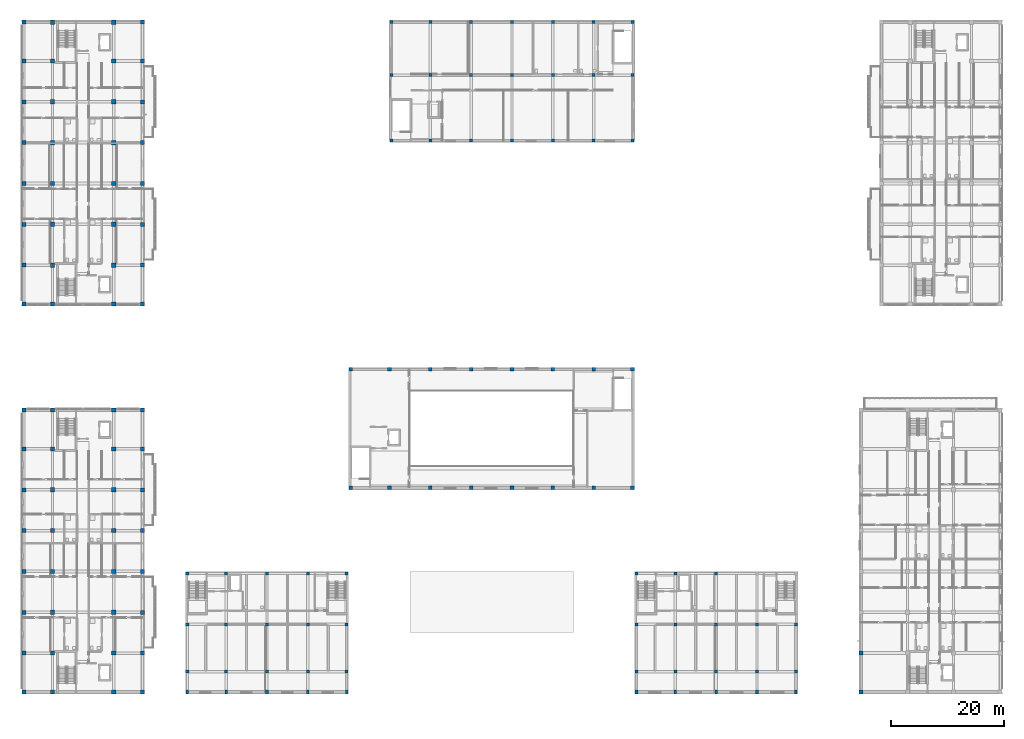
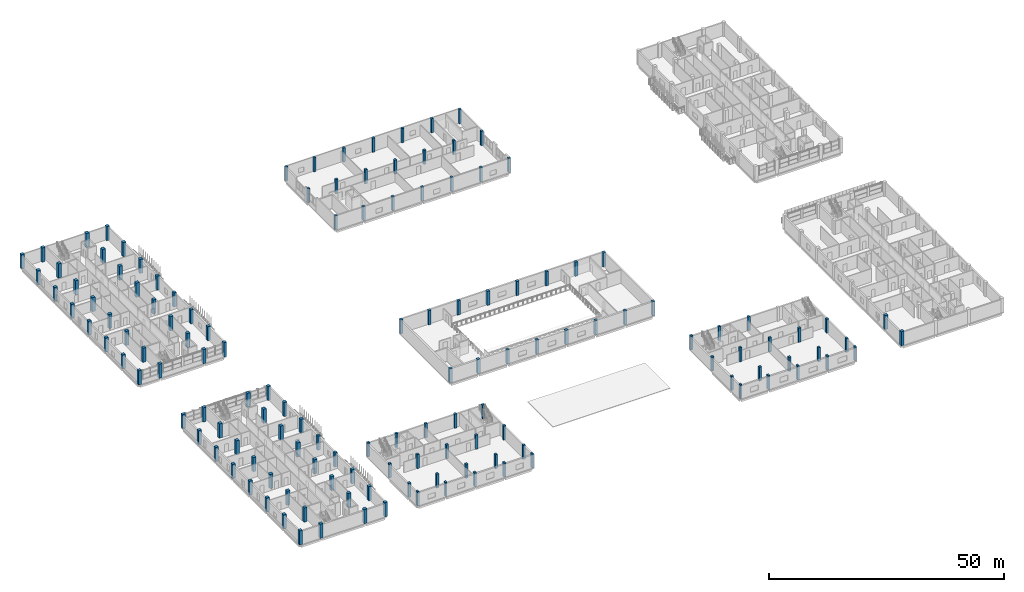
# One storey, part 1 of 73: 141 columns.
"""IFC4 building model written with IfcOpenShell, lengths in metres."""

from ifc_helpers import new_model, si_unit, derived_unit, direction, frame, origin, origin_2d, place, context, subcontext, project, spatial, rectangle, extrude, material, material_profile, profile_set, type_object, element, save


model = new_model("IFC4")

# Units and contexts
model_context = context("Model", 3, precision=1e-05, world=origin(), true_north=direction((0.0, 1.0)))
body_context = subcontext(model_context, "Body", "Model", "MODEL_VIEW")
ifc_project = project(units=[si_unit("LENGTHUNIT", "METRE"), si_unit("AREAUNIT", "SQUARE_METRE"), si_unit("VOLUMEUNIT", "CUBIC_METRE"), si_unit("PLANEANGLEUNIT", "RADIAN"), si_unit("MASSUNIT", "GRAM", prefix="KILO"), derived_unit("THERMALTRANSMITTANCEUNIT", [(si_unit("MASSUNIT", "GRAM", prefix="KILO"), 1), (si_unit("TIMEUNIT", "SECOND"), -3), (si_unit("THERMODYNAMICTEMPERATUREUNIT", "KELVIN"), -1)])], contexts=[model_context])

# Site, building, storey
site_placement = place(None, origin())
site = spatial("IfcSite", under=ifc_project, at=site_placement, CompositionType="ELEMENT")
building_placement = place(site_placement, origin())
building = spatial("IfcBuilding", under=site, at=building_placement, Name="Ochrekiln Boulevard Commons", CompositionType="ELEMENT")
storey_placement = place(building_placement, frame((0.0, 0.0, 4.89990234375)))
storey = spatial("IfcBuildingStorey", under=building, at=storey_placement, Name="L01", CompositionType="ELEMENT", Elevation=4.89990234375)

# Columns
ifc_material_1 = material(Name="Concrete C35/45", Category="concrete")
ifc_material_profile_1 = material_profile(ifc_material_1, rectangle(XDim=0.550048828125, YDim=0.550048828125, at=origin_2d()), Name="RC-COL-550x550")
ifc_profile_set_1 = profile_set([ifc_material_profile_1], Name="Concrete C35/45")
column_type_1 = type_object("IfcColumnType", Name="COL-RC-550", PredefinedType="COLUMN", material=ifc_profile_set_1)
for number, where, z_axis, x_axis, name in (
    (1, (65.14990234375, 97.550048828125, 0.0), (0.0, 0.0, 1.0), (1.0, 0.0, 0.0), "Nursery Pavilion L01 Column C-550 (1)"),
    (2, (65.14990234375, 109.10009765625, 0.0), (0.0, 0.0, 1.0), (1.0, 0.0, 0.0), "Nursery Pavilion L01 Column C-550 (2)"),
    (3, (65.14990234375, 118.449951171875, 0.0), (0.0, 0.0, 1.0), (1.0, 0.0, 0.0), "Nursery Pavilion L01 Column C-550 (3)"),
    (4, (72.0, 97.550048828125, 0.0), (0.0, 0.0, 1.0), (1.0, 0.0, 0.0), "Nursery Pavilion L01 Column C-550 (4)"),
    (5, (72.0, 109.10009765625, 0.0), (0.0, 0.0, 1.0), (1.0, 0.0, 0.0), "Nursery Pavilion L01 Column C-550 (5)"),
    (6, (72.0, 118.449951171875, 0.0), (0.0, 0.0, 1.0), (1.0, 0.0, 0.0), "Nursery Pavilion L01 Column C-550 (6)"),
    (7, (79.199951171875, 97.550048828125, 0.0), (0.0, 0.0, 1.0), (1.0, 0.0, 0.0), "Nursery Pavilion L01 Column C-550 (7)"),
    (8, (79.199951171875, 109.10009765625, 0.0), (0.0, 0.0, 1.0), (1.0, 0.0, 0.0), "Nursery Pavilion L01 Column C-550 (8)"),
    (9, (79.199951171875, 118.449951171875, 0.0), (0.0, 0.0, 1.0), (1.0, 0.0, 0.0), "Nursery Pavilion L01 Column C-550 (9)"),
    (10, (86.39990234375, 97.550048828125, 0.0), (0.0, 0.0, 1.0), (1.0, 0.0, 0.0), "Nursery Pavilion L01 Column C-550 (10)"),
    (11, (86.39990234375, 109.10009765625, 0.0), (0.0, 0.0, 1.0), (1.0, 0.0, 0.0), "Nursery Pavilion L01 Column C-550 (11)"),
    (12, (86.39990234375, 118.449951171875, 0.0), (0.0, 0.0, 1.0), (1.0, 0.0, 0.0), "Nursery Pavilion L01 Column C-550 (12)"),
    (13, (93.60009765625, 97.550048828125, 0.0), (0.0, 0.0, 1.0), (1.0, 0.0, 0.0), "Nursery Pavilion L01 Column C-550 (13)"),
    (14, (93.60009765625, 109.10009765625, 0.0), (0.0, 0.0, 1.0), (1.0, 0.0, 0.0), "Nursery Pavilion L01 Column C-550 (14)"),
    (15, (93.60009765625, 118.449951171875, 0.0), (0.0, 0.0, 1.0), (1.0, 0.0, 0.0), "Nursery Pavilion L01 Column C-550 (15)"),
    (16, (100.800048828125, 97.550048828125, 0.0), (0.0, 0.0, 1.0), (1.0, 0.0, 0.0), "Nursery Pavilion L01 Column C-550 (16)"),
    (17, (100.800048828125, 109.10009765625, 0.0), (0.0, 0.0, 1.0), (1.0, 0.0, 0.0), "Nursery Pavilion L01 Column C-550 (17)"),
    (18, (100.800048828125, 118.449951171875, 0.0), (0.0, 0.0, 1.0), (1.0, 0.0, 0.0), "Nursery Pavilion L01 Column C-550 (18)"),
    (19, (107.64990234375, 97.550048828125, 0.0), (0.0, 0.0, 1.0), (1.0, 0.0, 0.0), "Nursery Pavilion L01 Column C-550 (19)"),
    (20, (107.64990234375, 109.10009765625, 0.0), (0.0, 0.0, 1.0), (1.0, 0.0, 0.0), "Nursery Pavilion L01 Column C-550 (20)"),
    (21, (107.64990234375, 118.449951171875, 0.0), (0.0, 0.0, 1.0), (1.0, 0.0, 0.0), "Nursery Pavilion L01 Column C-550 (21)"),
    (22, (29.14990234375, 3.949951171875, 0.0), (0.0, 0.0, 1.0), (1.0, 0.0, 0.0), "West Boulevard Shops and Arcade L01 Column C-550 (2)"),
    (23, (29.14990234375, 12.25, 0.0), (0.0, 0.0, 1.0), (1.0, 0.0, 0.0), "West Boulevard Shops and Arcade L01 Column C-550 (3)"),
    (24, (29.14990234375, 21.25, 0.0), (0.0, 0.0, 1.0), (1.0, 0.0, 0.0), "West Boulevard Shops and Arcade L01 Column C-550 (4)"),
    (25, (36.0, 3.949951171875, 0.0), (0.0, 0.0, 1.0), (1.0, 0.0, 0.0), "West Boulevard Shops and Arcade L01 Column C-550 (6)"),
    (26, (36.0, 12.25, 0.0), (0.0, 0.0, 1.0), (1.0, 0.0, 0.0), "West Boulevard Shops and Arcade L01 Column C-550 (7)"),
    (27, (36.0, 21.25, 0.0), (0.0, 0.0, 1.0), (1.0, 0.0, 0.0), "West Boulevard Shops and Arcade L01 Column C-550 (8)"),
    (28, (43.199951171875, 3.949951171875, 0.0), (0.0, 0.0, 1.0), (1.0, 0.0, 0.0), "West Boulevard Shops and Arcade L01 Column C-550 (10)"),
    (29, (43.199951171875, 12.25, 0.0), (0.0, 0.0, 1.0), (1.0, 0.0, 0.0), "West Boulevard Shops and Arcade L01 Column C-550 (11)"),
    (30, (43.199951171875, 21.25, 0.0), (0.0, 0.0, 1.0), (1.0, 0.0, 0.0), "West Boulevard Shops and Arcade L01 Column C-550 (12)"),
    (31, (50.39990234375, 3.949951171875, 0.0), (0.0, 0.0, 1.0), (1.0, 0.0, 0.0), "West Boulevard Shops and Arcade L01 Column C-550 (14)"),
    (32, (50.39990234375, 12.25, 0.0), (0.0, 0.0, 1.0), (1.0, 0.0, 0.0), "West Boulevard Shops and Arcade L01 Column C-550 (15)"),
    (33, (50.39990234375, 21.25, 0.0), (0.0, 0.0, 1.0), (1.0, 0.0, 0.0), "West Boulevard Shops and Arcade L01 Column C-550 (16)"),
    (34, (57.25, 3.949951171875, 0.0), (0.0, 0.0, 1.0), (1.0, 0.0, 0.0), "West Boulevard Shops and Arcade L01 Column C-550 (18)"),
    (35, (57.25, 12.25, 0.0), (0.0, 0.0, 1.0), (1.0, 0.0, 0.0), "West Boulevard Shops and Arcade L01 Column C-550 (19)"),
    (36, (57.25, 21.25, 0.0), (0.0, 0.0, 1.0), (1.0, 0.0, 0.0), "West Boulevard Shops and Arcade L01 Column C-550 (20)"),
    (37, (108.35009765625, 3.949951171875, 0.0), (0.0, 0.0, 1.0), (1.0, 0.0, 0.0), "East Boulevard Shops and Arcade L01 Column C-550 (2)"),
    (38, (108.35009765625, 12.25, 0.0), (0.0, 0.0, 1.0), (1.0, 0.0, 0.0), "East Boulevard Shops and Arcade L01 Column C-550 (3)"),
    (39, (108.35009765625, 21.25, 0.0), (0.0, 0.0, 1.0), (1.0, 0.0, 0.0), "East Boulevard Shops and Arcade L01 Column C-550 (4)"),
    (40, (115.199951171875, 3.949951171875, 0.0), (0.0, 0.0, 1.0), (1.0, 0.0, 0.0), "East Boulevard Shops and Arcade L01 Column C-550 (6)"),
    (41, (115.199951171875, 12.25, 0.0), (0.0, 0.0, 1.0), (1.0, 0.0, 0.0), "East Boulevard Shops and Arcade L01 Column C-550 (7)"),
    (42, (115.199951171875, 21.25, 0.0), (0.0, 0.0, 1.0), (1.0, 0.0, 0.0), "East Boulevard Shops and Arcade L01 Column C-550 (8)"),
    (43, (122.39990234375, 3.949951171875, 0.0), (0.0, 0.0, 1.0), (1.0, 0.0, 0.0), "East Boulevard Shops and Arcade L01 Column C-550 (10)"),
    (44, (122.39990234375, 12.25, 0.0), (0.0, 0.0, 1.0), (1.0, 0.0, 0.0), "East Boulevard Shops and Arcade L01 Column C-550 (11)"),
    (45, (122.39990234375, 21.25, 0.0), (0.0, 0.0, 1.0), (1.0, 0.0, 0.0), "East Boulevard Shops and Arcade L01 Column C-550 (12)"),
    (46, (129.60009765625, 3.949951171875, 0.0), (0.0, 0.0, 1.0), (1.0, 0.0, 0.0), "East Boulevard Shops and Arcade L01 Column C-550 (14)"),
    (47, (129.60009765625, 12.25, 0.0), (0.0, 0.0, 1.0), (1.0, 0.0, 0.0), "East Boulevard Shops and Arcade L01 Column C-550 (15)"),
    (48, (136.449951171875, 3.949951171875, 0.0), (0.0, 0.0, 1.0), (1.0, 0.0, 0.0), "East Boulevard Shops and Arcade L01 Column C-550 (18)"),
    (49, (136.449951171875, 12.25, 0.0), (0.0, 0.0, 1.0), (1.0, 0.0, 0.0), "East Boulevard Shops and Arcade L01 Column C-550 (19)"),
):
    element("IfcColumn", number, at=place(storey_placement, frame(where, z_axis=z_axis, x_axis=x_axis)), inside=storey, type_object=column_type_1, Name=name, PredefinedType="COLUMN", context=body_context, shape_type="SweptSolid", body=[
        extrude(rectangle(XDim=0.550048828125, YDim=0.550048828125, at=origin_2d()), origin(), (0.0, 0.0, 1.0), 3.675048828125),
    ])
ifc_material_2 = material(Name="Concrete C40/50", Category="concrete")
ifc_material_profile_2 = material_profile(ifc_material_2, rectangle(XDim=0.64990234375, YDim=0.64990234375, at=origin_2d()), Name="RC-COL-650x650")
ifc_profile_set_2 = profile_set([ifc_material_profile_2], Name="Concrete C40/50")
column_type_2 = type_object("IfcColumnType", Name="COL-RC-650", PredefinedType="COLUMN", material=ifc_profile_set_2)
for number, where, z_axis, x_axis, name in (
    (50, (57.949951171875, 36.35009765625, 0.0), (0.0, 0.0, 1.0), (1.0, 0.0, 0.0), "Community Hall L01 Column C-650 (1)"),
    (51, (57.949951171875, 57.25, 0.0), (0.0, 0.0, 1.0), (1.0, 0.0, 0.0), "Community Hall L01 Column C-650 (2)"),
    (52, (64.800048828125, 36.35009765625, 0.0), (0.0, 0.0, 1.0), (1.0, 0.0, 0.0), "Community Hall L01 Column C-650 (3)"),
    (53, (64.800048828125, 57.25, 0.0), (0.0, 0.0, 1.0), (1.0, 0.0, 0.0), "Community Hall L01 Column C-650 (4)"),
    (54, (72.0, 36.35009765625, 0.0), (0.0, 0.0, 1.0), (1.0, 0.0, 0.0), "Community Hall L01 Column C-650 (5)"),
    (55, (72.0, 57.25, 0.0), (0.0, 0.0, 1.0), (1.0, 0.0, 0.0), "Community Hall L01 Column C-650 (6)"),
    (56, (79.199951171875, 36.35009765625, 0.0), (0.0, 0.0, 1.0), (1.0, 0.0, 0.0), "Community Hall L01 Column C-650 (7)"),
    (57, (79.199951171875, 57.25, 0.0), (0.0, 0.0, 1.0), (1.0, 0.0, 0.0), "Community Hall L01 Column C-650 (8)"),
    (58, (86.39990234375, 36.35009765625, 0.0), (0.0, 0.0, 1.0), (1.0, 0.0, 0.0), "Community Hall L01 Column C-650 (9)"),
    (59, (86.39990234375, 57.25, 0.0), (0.0, 0.0, 1.0), (1.0, 0.0, 0.0), "Community Hall L01 Column C-650 (10)"),
    (60, (93.60009765625, 36.35009765625, 0.0), (0.0, 0.0, 1.0), (1.0, 0.0, 0.0), "Community Hall L01 Column C-650 (11)"),
    (61, (93.60009765625, 57.25, 0.0), (0.0, 0.0, 1.0), (1.0, 0.0, 0.0), "Community Hall L01 Column C-650 (12)"),
    (62, (100.800048828125, 36.35009765625, 0.0), (0.0, 0.0, 1.0), (1.0, 0.0, 0.0), "Community Hall L01 Column C-650 (13)"),
    (63, (100.800048828125, 57.25, 0.0), (0.0, 0.0, 1.0), (1.0, 0.0, 0.0), "Community Hall L01 Column C-650 (14)"),
    (64, (107.64990234375, 36.35009765625, 0.0), (0.0, 0.0, 1.0), (1.0, 0.0, 0.0), "Community Hall L01 Column C-650 (15)"),
    (65, (107.64990234375, 57.25, 0.0), (0.0, 0.0, 1.0), (1.0, 0.0, 0.0), "Community Hall L01 Column C-650 (16)"),
):
    element("IfcColumn", number, at=place(storey_placement, frame(where, z_axis=z_axis, x_axis=x_axis)), inside=storey, type_object=column_type_2, Name=name, PredefinedType="COLUMN", context=body_context, shape_type="SweptSolid", body=[
        extrude(rectangle(XDim=0.64990234375, YDim=0.64990234375, at=origin_2d()), origin(), (0.0, 0.0, 1.0), 3.675048828125),
    ])
ifc_material_profile_3 = material_profile(ifc_material_2, rectangle(XDim=0.699951171875, YDim=0.699951171875, at=origin_2d()), Name="RC-COL-700x700")
ifc_profile_set_3 = profile_set([ifc_material_profile_3], Name="Concrete C40/50")
column_type_3 = type_object("IfcColumnType", Name="COL-RC-700", PredefinedType="COLUMN", material=ifc_profile_set_3)
for number, where, z_axis, x_axis, name in (
    (66, (0.35009765625, 68.75, 0.0), (0.0, 0.0, 1.0), (1.0, 0.0, 0.0), "Block A L01 Column C-700 (1)"),
    (67, (0.35009765625, 75.60009765625, 0.0), (0.0, 0.0, 1.0), (1.0, 0.0, 0.0), "Block A L01 Column C-700 (2)"),
    (68, (0.35009765625, 82.800048828125, 0.0), (0.0, 0.0, 1.0), (1.0, 0.0, 0.0), "Block A L01 Column C-700 (3)"),
    (69, (0.35009765625, 90.0, 0.0), (0.0, 0.0, 1.0), (1.0, 0.0, 0.0), "Block A L01 Column C-700 (4)"),
    (70, (0.35009765625, 97.199951171875, 0.0), (0.0, 0.0, 1.0), (1.0, 0.0, 0.0), "Block A L01 Column C-700 (5)"),
    (71, (0.35009765625, 104.39990234375, 0.0), (0.0, 0.0, 1.0), (1.0, 0.0, 0.0), "Block A L01 Column C-700 (6)"),
    (72, (0.35009765625, 111.60009765625, 0.0), (0.0, 0.0, 1.0), (1.0, 0.0, 0.0), "Block A L01 Column C-700 (7)"),
    (73, (0.35009765625, 118.449951171875, 0.0), (0.0, 0.0, 1.0), (1.0, 0.0, 0.0), "Block A L01 Column C-700 (8)"),
    (74, (21.25, 68.75, 0.0), (0.0, 0.0, 1.0), (1.0, 0.0, 0.0), "Block A L01 Column C-700 (25)"),
    (75, (21.25, 75.60009765625, 0.0), (0.0, 0.0, 1.0), (1.0, 0.0, 0.0), "Block A L01 Column C-700 (26)"),
    (76, (21.25, 82.800048828125, 0.0), (0.0, 0.0, 1.0), (1.0, 0.0, 0.0), "Block A L01 Column C-700 (27)"),
    (77, (21.25, 90.0, 0.0), (0.0, 0.0, 1.0), (1.0, 0.0, 0.0), "Block A L01 Column C-700 (28)"),
    (78, (21.25, 97.199951171875, 0.0), (0.0, 0.0, 1.0), (1.0, 0.0, 0.0), "Block A L01 Column C-700 (29)"),
    (79, (21.25, 104.39990234375, 0.0), (0.0, 0.0, 1.0), (1.0, 0.0, 0.0), "Block A L01 Column C-700 (30)"),
    (80, (21.25, 111.60009765625, 0.0), (0.0, 0.0, 1.0), (1.0, 0.0, 0.0), "Block A L01 Column C-700 (31)"),
    (81, (21.25, 118.449951171875, 0.0), (0.0, 0.0, 1.0), (1.0, 0.0, 0.0), "Block A L01 Column C-700 (32)"),
    (82, (147.949951171875, 0.35009765625, 0.0), (0.0, 0.0, 1.0), (1.0, 0.0, 0.0), "Block C L01 Column C-700 (1)"),
    (83, (147.949951171875, 7.199951171875, 0.0), (0.0, 0.0, 1.0), (1.0, 0.0, 0.0), "Block C L01 Column C-700 (2)"),
    (84, (0.35009765625, 0.35009765625, 0.0), (0.0, 0.0, 1.0), (1.0, 0.0, 0.0), "Block D L01 Column C-700 (1)"),
    (85, (0.35009765625, 7.199951171875, 0.0), (0.0, 0.0, 1.0), (1.0, 0.0, 0.0), "Block D L01 Column C-700 (2)"),
    (86, (0.35009765625, 14.39990234375, 0.0), (0.0, 0.0, 1.0), (1.0, 0.0, 0.0), "Block D L01 Column C-700 (3)"),
    (87, (0.35009765625, 21.60009765625, 0.0), (0.0, 0.0, 1.0), (1.0, 0.0, 0.0), "Block D L01 Column C-700 (4)"),
    (88, (0.35009765625, 28.800048828125, 0.0), (0.0, 0.0, 1.0), (1.0, 0.0, 0.0), "Block D L01 Column C-700 (5)"),
    (89, (0.35009765625, 36.0, 0.0), (0.0, 0.0, 1.0), (1.0, 0.0, 0.0), "Block D L01 Column C-700 (6)"),
    (90, (0.35009765625, 43.199951171875, 0.0), (0.0, 0.0, 1.0), (1.0, 0.0, 0.0), "Block D L01 Column C-700 (7)"),
    (91, (0.35009765625, 50.050048828125, 0.0), (0.0, 0.0, 1.0), (1.0, 0.0, 0.0), "Block D L01 Column C-700 (8)"),
    (92, (21.25, 0.35009765625, 0.0), (0.0, 0.0, 1.0), (1.0, 0.0, 0.0), "Block D L01 Column C-700 (25)"),
    (93, (21.25, 7.199951171875, 0.0), (0.0, 0.0, 1.0), (1.0, 0.0, 0.0), "Block D L01 Column C-700 (26)"),
    (94, (21.25, 14.39990234375, 0.0), (0.0, 0.0, 1.0), (1.0, 0.0, 0.0), "Block D L01 Column C-700 (27)"),
    (95, (21.25, 21.60009765625, 0.0), (0.0, 0.0, 1.0), (1.0, 0.0, 0.0), "Block D L01 Column C-700 (28)"),
    (96, (21.25, 28.800048828125, 0.0), (0.0, 0.0, 1.0), (1.0, 0.0, 0.0), "Block D L01 Column C-700 (29)"),
    (97, (21.25, 36.0, 0.0), (0.0, 0.0, 1.0), (1.0, 0.0, 0.0), "Block D L01 Column C-700 (30)"),
    (98, (21.25, 43.199951171875, 0.0), (0.0, 0.0, 1.0), (1.0, 0.0, 0.0), "Block D L01 Column C-700 (31)"),
    (99, (21.25, 50.050048828125, 0.0), (0.0, 0.0, 1.0), (1.0, 0.0, 0.0), "Block D L01 Column C-700 (32)"),
):
    element("IfcColumn", number, at=place(storey_placement, frame(where, z_axis=z_axis, x_axis=x_axis)), inside=storey, type_object=column_type_3, Name=name, PredefinedType="COLUMN", context=body_context, shape_type="SweptSolid", body=[
        extrude(rectangle(XDim=0.699951171875, YDim=0.699951171875, at=origin_2d()), origin(), (0.0, 0.0, 1.0), 3.675048828125),
    ])
ifc_material_profile_4 = material_profile(ifc_material_2, rectangle(XDim=0.75, YDim=0.75, at=origin_2d()), Name="RC-COL-750x750")
ifc_profile_set_4 = profile_set([ifc_material_profile_4], Name="Concrete C40/50")
column_type_4 = type_object("IfcColumnType", Name="COL-RC-750", PredefinedType="COLUMN", material=ifc_profile_set_4)
for number, where, z_axis, x_axis, name in (
    (100, (5.39990234375, 68.75, 0.0), (0.0, 0.0, 1.0), (1.0, 0.0, 0.0), "Block A L01 Column C-750 (9)"),
    (101, (5.39990234375, 75.60009765625, 0.0), (0.0, 0.0, 1.0), (1.0, 0.0, 0.0), "Block A L01 Column C-750 (10)"),
    (102, (5.39990234375, 82.800048828125, 0.0), (0.0, 0.0, 1.0), (1.0, 0.0, 0.0), "Block A L01 Column C-750 (11)"),
    (103, (5.39990234375, 90.0, 0.0), (0.0, 0.0, 1.0), (1.0, 0.0, 0.0), "Block A L01 Column C-750 (12)"),
    (104, (5.39990234375, 97.199951171875, 0.0), (0.0, 0.0, 1.0), (1.0, 0.0, 0.0), "Block A L01 Column C-750 (13)"),
    (105, (5.39990234375, 104.39990234375, 0.0), (0.0, 0.0, 1.0), (1.0, 0.0, 0.0), "Block A L01 Column C-750 (14)"),
    (106, (5.39990234375, 111.60009765625, 0.0), (0.0, 0.0, 1.0), (1.0, 0.0, 0.0), "Block A L01 Column C-750 (15)"),
    (107, (5.39990234375, 118.449951171875, 0.0), (0.0, 0.0, 1.0), (1.0, 0.0, 0.0), "Block A L01 Column C-750 (16)"),
    (108, (16.199951171875, 68.75, 0.0), (0.0, 0.0, 1.0), (1.0, 0.0, 0.0), "Block A L01 Column C-750 (17)"),
    (109, (16.199951171875, 75.60009765625, 0.0), (0.0, 0.0, 1.0), (1.0, 0.0, 0.0), "Block A L01 Column C-750 (18)"),
    (110, (16.199951171875, 82.800048828125, 0.0), (0.0, 0.0, 1.0), (1.0, 0.0, 0.0), "Block A L01 Column C-750 (19)"),
    (111, (16.199951171875, 90.0, 0.0), (0.0, 0.0, 1.0), (1.0, 0.0, 0.0), "Block A L01 Column C-750 (20)"),
    (112, (16.199951171875, 97.199951171875, 0.0), (0.0, 0.0, 1.0), (1.0, 0.0, 0.0), "Block A L01 Column C-750 (21)"),
    (113, (16.199951171875, 104.39990234375, 0.0), (0.0, 0.0, 1.0), (1.0, 0.0, 0.0), "Block A L01 Column C-750 (22)"),
    (114, (16.199951171875, 111.60009765625, 0.0), (0.0, 0.0, 1.0), (1.0, 0.0, 0.0), "Block A L01 Column C-750 (23)"),
    (115, (16.199951171875, 118.449951171875, 0.0), (0.0, 0.0, 1.0), (1.0, 0.0, 0.0), "Block A L01 Column C-750 (24)"),
    (116, (5.39990234375, 0.35009765625, 0.0), (0.0, 0.0, 1.0), (1.0, 0.0, 0.0), "Block D L01 Column C-750 (9)"),
    (117, (5.39990234375, 7.199951171875, 0.0), (0.0, 0.0, 1.0), (1.0, 0.0, 0.0), "Block D L01 Column C-750 (10)"),
    (118, (5.39990234375, 14.39990234375, 0.0), (0.0, 0.0, 1.0), (1.0, 0.0, 0.0), "Block D L01 Column C-750 (11)"),
    (119, (5.39990234375, 21.60009765625, 0.0), (0.0, 0.0, 1.0), (1.0, 0.0, 0.0), "Block D L01 Column C-750 (12)"),
    (120, (5.39990234375, 28.800048828125, 0.0), (0.0, 0.0, 1.0), (1.0, 0.0, 0.0), "Block D L01 Column C-750 (13)"),
    (121, (5.39990234375, 36.0, 0.0), (0.0, 0.0, 1.0), (1.0, 0.0, 0.0), "Block D L01 Column C-750 (14)"),
    (122, (5.39990234375, 43.199951171875, 0.0), (0.0, 0.0, 1.0), (1.0, 0.0, 0.0), "Block D L01 Column C-750 (15)"),
    (123, (5.39990234375, 50.050048828125, 0.0), (0.0, 0.0, 1.0), (1.0, 0.0, 0.0), "Block D L01 Column C-750 (16)"),
    (124, (16.199951171875, 0.35009765625, 0.0), (0.0, 0.0, 1.0), (1.0, 0.0, 0.0), "Block D L01 Column C-750 (17)"),
    (125, (16.199951171875, 7.199951171875, 0.0), (0.0, 0.0, 1.0), (1.0, 0.0, 0.0), "Block D L01 Column C-750 (18)"),
    (126, (16.199951171875, 14.39990234375, 0.0), (0.0, 0.0, 1.0), (1.0, 0.0, 0.0), "Block D L01 Column C-750 (19)"),
    (127, (16.199951171875, 21.60009765625, 0.0), (0.0, 0.0, 1.0), (1.0, 0.0, 0.0), "Block D L01 Column C-750 (20)"),
    (128, (16.199951171875, 28.800048828125, 0.0), (0.0, 0.0, 1.0), (1.0, 0.0, 0.0), "Block D L01 Column C-750 (21)"),
    (129, (16.199951171875, 36.0, 0.0), (0.0, 0.0, 1.0), (1.0, 0.0, 0.0), "Block D L01 Column C-750 (22)"),
    (130, (16.199951171875, 43.199951171875, 0.0), (0.0, 0.0, 1.0), (1.0, 0.0, 0.0), "Block D L01 Column C-750 (23)"),
    (131, (16.199951171875, 50.050048828125, 0.0), (0.0, 0.0, 1.0), (1.0, 0.0, 0.0), "Block D L01 Column C-750 (24)"),
):
    element("IfcColumn", number, at=place(storey_placement, frame(where, z_axis=z_axis, x_axis=x_axis)), inside=storey, type_object=column_type_4, Name=name, PredefinedType="COLUMN", context=body_context, shape_type="SweptSolid", body=[
        extrude(rectangle(XDim=0.75, YDim=0.75, at=origin_2d()), origin(), (0.0, 0.0, 1.0), 3.675048828125),
    ])
ifc_material_profile_5 = material_profile(ifc_material_2, rectangle(XDim=0.449951171875, YDim=0.64990234375, at=origin_2d()), Name="RC-PIL-450x650")
ifc_profile_set_5 = profile_set([ifc_material_profile_5], Name="Concrete C40/50")
column_type_5 = type_object("IfcColumnType", Name="PIL-RC-450x650", PredefinedType="PILASTER", material=ifc_profile_set_5)
for number, where, z_axis, x_axis, name in (
    (132, (29.14990234375, 0.35009765625, 0.0), (0.0, 0.0, 1.0), (1.0, 0.0, 0.0), "West Boulevard Shops and Arcade L01 Column PL-4565 (1)"),
    (133, (36.0, 0.35009765625, 0.0), (0.0, 0.0, 1.0), (1.0, 0.0, 0.0), "West Boulevard Shops and Arcade L01 Column PL-4565 (5)"),
    (134, (43.199951171875, 0.35009765625, 0.0), (0.0, 0.0, 1.0), (1.0, 0.0, 0.0), "West Boulevard Shops and Arcade L01 Column PL-4565 (9)"),
    (135, (50.39990234375, 0.35009765625, 0.0), (0.0, 0.0, 1.0), (1.0, 0.0, 0.0), "West Boulevard Shops and Arcade L01 Column PL-4565 (13)"),
    (136, (57.25, 0.35009765625, 0.0), (0.0, 0.0, 1.0), (1.0, 0.0, 0.0), "West Boulevard Shops and Arcade L01 Column PL-4565 (17)"),
    (137, (108.35009765625, 0.35009765625, 0.0), (0.0, 0.0, 1.0), (1.0, 0.0, 0.0), "East Boulevard Shops and Arcade L01 Column PL-4565 (1)"),
    (138, (115.199951171875, 0.35009765625, 0.0), (0.0, 0.0, 1.0), (1.0, 0.0, 0.0), "East Boulevard Shops and Arcade L01 Column PL-4565 (5)"),
    (139, (122.39990234375, 0.35009765625, 0.0), (0.0, 0.0, 1.0), (1.0, 0.0, 0.0), "East Boulevard Shops and Arcade L01 Column PL-4565 (9)"),
    (140, (129.60009765625, 0.35009765625, 0.0), (0.0, 0.0, 1.0), (1.0, 0.0, 0.0), "East Boulevard Shops and Arcade L01 Column PL-4565 (13)"),
    (141, (136.449951171875, 0.35009765625, 0.0), (0.0, 0.0, 1.0), (1.0, 0.0, 0.0), "East Boulevard Shops and Arcade L01 Column PL-4565 (17)"),
):
    element("IfcColumn", number, at=place(storey_placement, frame(where, z_axis=z_axis, x_axis=x_axis)), inside=storey, type_object=column_type_5, Name=name, PredefinedType="PILASTER", context=body_context, shape_type="SweptSolid", body=[
        extrude(rectangle(XDim=0.449951171875, YDim=0.64990234375, at=origin_2d()), origin(), (0.0, 0.0, 1.0), 3.675048828125),
    ])

save(model, "model.ifc")
